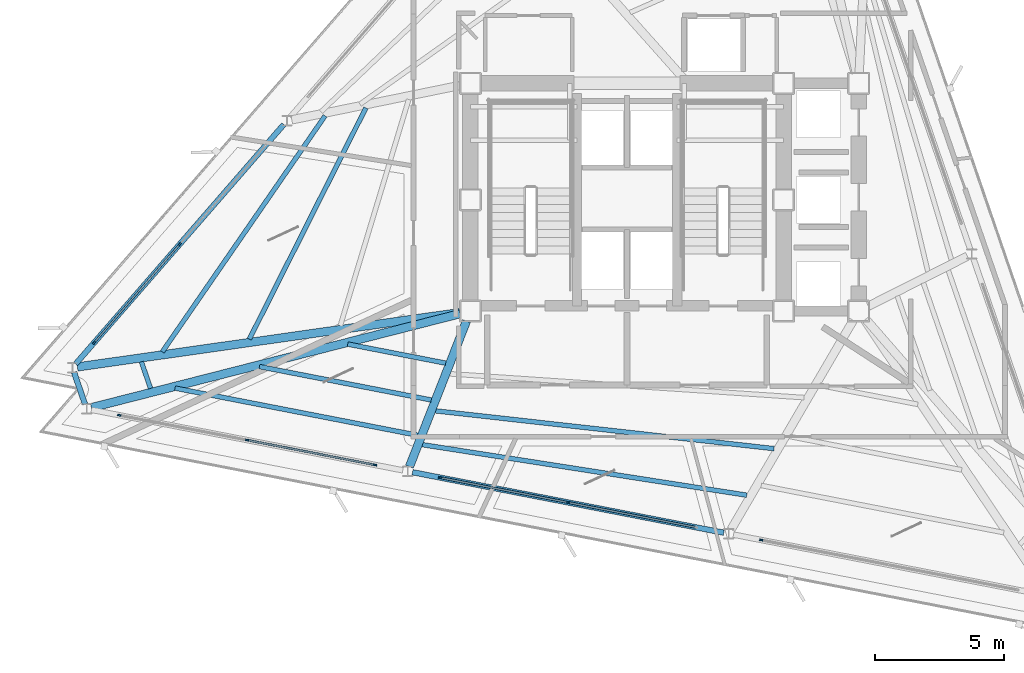
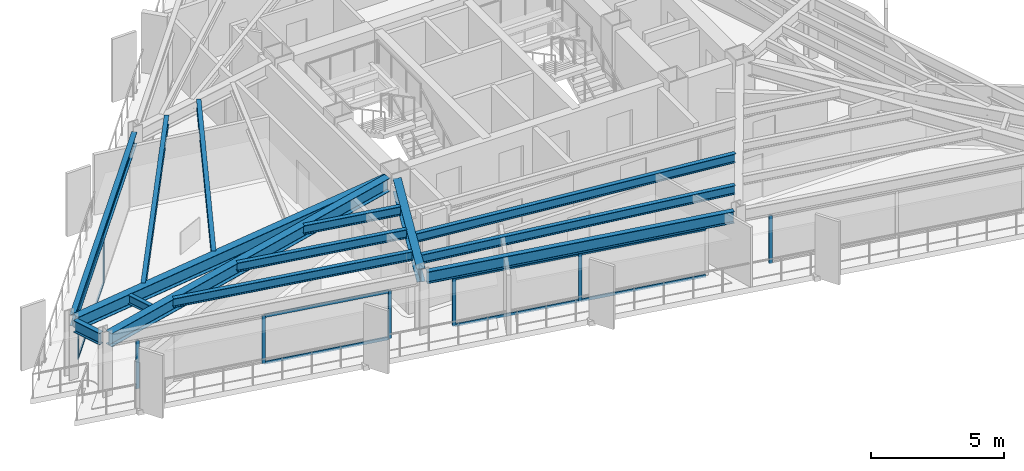
# One storey, part 2 of 13: 16 members, 14 beams, 4 elements without a shape of their own.
"""IFC4 building model written with IfcOpenShell, lengths in metres."""

from ifc_helpers import new_model, si_unit, direction, frame, origin, origin_2d, place, context, subcontext, project, spatial, rectangle, i_section, extrude, material, layer, layer_set, material_profile, profile_set, type_object, element, aggregate, save


model = new_model("IFC4")

# Units and contexts
model_context = context("Model", 3, precision=1e-05, world=origin(), true_north=direction((0.0, 1.0)))
body_context = subcontext(model_context, "Body", "Model", "MODEL_VIEW")
ifc_project = project(units=[si_unit("LENGTHUNIT", "METRE"), si_unit("AREAUNIT", "SQUARE_METRE"), si_unit("VOLUMEUNIT", "CUBIC_METRE"), si_unit("PLANEANGLEUNIT", "RADIAN"), si_unit("MASSUNIT", "GRAM", prefix="KILO")], contexts=[model_context])

# Site, building, storey
site_placement = place(None, origin())
site = spatial("IfcSite", under=ifc_project, at=site_placement, CompositionType="ELEMENT")
building_placement = place(site_placement, origin())
building = spatial("IfcBuilding", under=site, at=building_placement, Name="Rocaltana Carrier Exchange", CompositionType="ELEMENT")
storey_placement = place(building_placement, frame((0.0, 0.0, 156.320068359375)))
storey = spatial("IfcBuildingStorey", under=building, at=storey_placement, Name="L49", CompositionType="ELEMENT", Elevation=156.320068359375)

# Curtain wall, members
ifc_material_1 = material(Name="Aluminium 6063-T6", Category="aluminium")
ifc_layer = layer(ifc_material_1, 0.135009765625)
ifc_layer_set = layer_set([ifc_layer], Name="Aluminium 6063-T6")
curtain_wall_type = type_object("IfcCurtainWallType", Name="Upper-Mid Acoustic Curtain Wall CW-04", PredefinedType="NOTDEFINED", material=ifc_layer_set)
curtain_wall_1_placement = place(storey_placement, origin())
curtain_wall_1 = element("IfcCurtainWall", 1, at=curtain_wall_1_placement, inside=storey, type_object=curtain_wall_type, Name="L49 CW-04 Run CW-L49-F2S3", PredefinedType="NOTDEFINED")
ifc_material_2 = material(Name="Aluminium 6063-T6", Category="aluminium")
ifc_material_profile_1 = material_profile(ifc_material_2, rectangle(XDim=0.06494140625, YDim=0.135009765625, at=origin_2d()), Name="AL-65X135")
ifc_profile_set_1 = profile_set([ifc_material_profile_1], Name="Aluminium 6063-T6")
member_type_1 = type_object("IfcMemberType", Name="CW-04 Mullion AL-65X135", PredefinedType="MULLION", material=ifc_profile_set_1)
member_1_placement = place(storey_placement, frame((-17.279541015625, -1.718505859375, 0.0), z_axis=(0.0, 0.0, 1.0), x_axis=(0.75471173919, -0.656056545375, 0.0)))
member_1 = element("IfcMember", 2, at=member_1_placement, type_object=member_type_1, Name="CW-04 mullion 2", PredefinedType="MULLION", context=body_context, shape_type="SweptSolid", body=[
    extrude(rectangle(XDim=0.06494140625, YDim=0.135009765625, at=origin_2d()), origin(), (0.0, 0.0, 1.0), 2.218017578125),
])
member_2_placement = place(storey_placement, frame((-20.582275390625, -5.517822265625, 0.0), z_axis=(0.0, 0.0, 1.0), x_axis=(0.75471173919, -0.656056545375, 0.0)))
member_2 = element("IfcMember", 3, at=member_2_placement, type_object=member_type_1, Name="CW-04 mullion 3", PredefinedType="MULLION", context=body_context, shape_type="SweptSolid", body=[
    extrude(rectangle(XDim=0.06494140625, YDim=0.135009765625, at=origin_2d()), origin(), (0.0, 0.0, 1.0), 2.218017578125),
])

curtain_wall_2_placement = place(storey_placement, origin())
curtain_wall_2 = element("IfcCurtainWall", 4, at=curtain_wall_2_placement, inside=storey, type_object=curtain_wall_type, Name="L49 CW-04 Run CW-L49-F3S1", PredefinedType="NOTDEFINED")
member_3_placement = place(storey_placement, frame((-19.6162109375, -8.323486328125, 0.0), z_axis=(0.0, 0.0, 1.0), x_axis=(0.190803361378, 0.981628278569, 0.0)))
member_3 = element("IfcMember", 5, at=member_3_placement, type_object=member_type_1, Name="CW-04 mullion 1", PredefinedType="MULLION", context=body_context, shape_type="SweptSolid", body=[
    extrude(rectangle(XDim=0.06494140625, YDim=0.135009765625, at=origin_2d()), origin(), (0.0, 0.0, 1.0), 2.218017578125),
])
member_4_placement = place(storey_placement, frame((-14.674560546875, -9.2841796875, 0.0), z_axis=(0.0, 0.0, 1.0), x_axis=(0.190803361378, 0.981628278569, 0.0)))
member_4 = element("IfcMember", 6, at=member_4_placement, type_object=member_type_1, Name="CW-04 mullion 2", PredefinedType="MULLION", context=body_context, shape_type="SweptSolid", body=[
    extrude(rectangle(XDim=0.06494140625, YDim=0.135009765625, at=origin_2d()), origin(), (0.0, 0.0, 1.0), 2.218017578125),
])
member_5_placement = place(storey_placement, frame((-9.732666015625, -10.24462890625, 0.0), z_axis=(0.0, 0.0, 1.0), x_axis=(0.190803361378, 0.981628278569, 0.0)))
member_5 = element("IfcMember", 7, at=member_5_placement, type_object=member_type_1, Name="CW-04 mullion 3", PredefinedType="MULLION", context=body_context, shape_type="SweptSolid", body=[
    extrude(rectangle(XDim=0.06494140625, YDim=0.135009765625, at=origin_2d()), origin(), (0.0, 0.0, 1.0), 2.218017578125),
])

curtain_wall_3_placement = place(storey_placement, origin())
curtain_wall_3 = element("IfcCurtainWall", 8, at=curtain_wall_3_placement, inside=storey, type_object=curtain_wall_type, Name="L49 CW-04 Run CW-L49-F3S2", PredefinedType="NOTDEFINED")
member_6_placement = place(storey_placement, frame((-7.21484375, -10.734130859375, 0.0), z_axis=(0.0, 0.0, 1.0), x_axis=(0.190814718784, 0.981626070913, 0.0)))
member_6 = element("IfcMember", 9, at=member_6_placement, type_object=member_type_1, Name="CW-04 mullion 1", PredefinedType="MULLION", context=body_context, shape_type="SweptSolid", body=[
    extrude(rectangle(XDim=0.06494140625, YDim=0.135009765625, at=origin_2d()), origin(), (0.0, 0.0, 1.0), 2.218017578125),
])
member_7_placement = place(storey_placement, frame((-2.273193359375, -11.694580078125, 0.0), z_axis=(0.0, 0.0, 1.0), x_axis=(0.190814718784, 0.981626070913, 0.0)))
member_7 = element("IfcMember", 10, at=member_7_placement, type_object=member_type_1, Name="CW-04 mullion 2", PredefinedType="MULLION", context=body_context, shape_type="SweptSolid", body=[
    extrude(rectangle(XDim=0.06494140625, YDim=0.135009765625, at=origin_2d()), origin(), (0.0, 0.0, 1.0), 2.218017578125),
])

# Curtain wall, member
curtain_wall_4_placement = place(storey_placement, origin())
curtain_wall_4 = element("IfcCurtainWall", 11, at=curtain_wall_4_placement, inside=storey, type_object=curtain_wall_type, Name="L49 CW-04 Run CW-L49-F3S3", PredefinedType="NOTDEFINED")
member_8_placement = place(storey_placement, frame((5.186279296875, -13.144775390625, 0.0), z_axis=(0.0, 0.0, 1.0), x_axis=(0.190805209699, 0.981627919301, 0.0)))
member_8 = element("IfcMember", 12, at=member_8_placement, type_object=member_type_1, Name="CW-04 mullion 1", PredefinedType="MULLION", context=body_context, shape_type="SweptSolid", body=[
    extrude(rectangle(XDim=0.06494140625, YDim=0.135009765625, at=origin_2d()), origin(), (0.0, 0.0, 1.0), 2.218017578125),
])
aggregate(curtain_wall_4, [member_8])

# Member
ifc_material_3 = material(Name="Aluminium 6063-T6", Category="aluminium")
ifc_material_profile_2 = material_profile(ifc_material_3, rectangle(XDim=0.06494140625, YDim=0.135009765625, at=origin_2d()), Name="AL-65X135")
ifc_profile_set_2 = profile_set([ifc_material_profile_2], Name="Aluminium 6063-T6")
member_type_2 = type_object("IfcMemberType", Name="CW-04 Transom AL-65X135", PredefinedType="USERDEFINED", material=ifc_profile_set_2)
member_9_placement = place(storey_placement, frame((-17.30078125, -1.742919921875, 0.032470703125), z_axis=(-0.656055850486, -0.754712343243, 0.0), x_axis=(0.754712343243, -0.656055850486, 0.0)))
member_9 = element("IfcMember", 13, at=member_9_placement, type_object=member_type_2, Name="CW-04 transom 2.1", ObjectType="TRANSOM", PredefinedType="USERDEFINED", context=body_context, shape_type="SweptSolid", body=[
    extrude(rectangle(XDim=0.06494140625, YDim=0.135009765625, at=origin_2d()), origin(), (0.0, 0.0, 1.0), 4.968994140625),
])

member_10_placement = place(storey_placement, frame((-17.30078125, -1.742919921875, 2.185546875), z_axis=(-0.656055850486, -0.754712343243, 0.0), x_axis=(0.754712343243, -0.656055850486, 0.0)))
member_10 = element("IfcMember", 14, at=member_10_placement, type_object=member_type_2, Name="CW-04 transom 2.2", ObjectType="TRANSOM", PredefinedType="USERDEFINED", context=body_context, shape_type="SweptSolid", body=[
    extrude(rectangle(XDim=0.06494140625, YDim=0.135009765625, at=origin_2d()), origin(), (0.0, 0.0, 1.0), 4.968994140625),
])

aggregate(curtain_wall_1, [member_1, member_2, member_9, member_10])

member_11_placement = place(storey_placement, frame((-14.642578125, -9.290283203125, 0.032470703125), z_axis=(0.981624593621, -0.1908223184, 0.0), x_axis=(0.1908223184, 0.981624593621, 0.0)))
member_11 = element("IfcMember", 15, at=member_11_placement, type_object=member_type_2, Name="CW-04 transom 2.1", ObjectType="TRANSOM", PredefinedType="USERDEFINED", context=body_context, shape_type="SweptSolid", body=[
    extrude(rectangle(XDim=0.06494140625, YDim=0.135009765625, at=origin_2d()), origin(), (0.0, 0.0, 1.0), 4.96923828125),
])

member_12_placement = place(storey_placement, frame((-14.642578125, -9.290283203125, 2.185546875), z_axis=(0.981624593621, -0.1908223184, 0.0), x_axis=(0.1908223184, 0.981624593621, 0.0)))
member_12 = element("IfcMember", 16, at=member_12_placement, type_object=member_type_2, Name="CW-04 transom 2.2", ObjectType="TRANSOM", PredefinedType="USERDEFINED", context=body_context, shape_type="SweptSolid", body=[
    extrude(rectangle(XDim=0.06494140625, YDim=0.135009765625, at=origin_2d()), origin(), (0.0, 0.0, 1.0), 4.96923828125),
])

aggregate(curtain_wall_2, [member_3, member_4, member_5, member_11, member_12])

member_13_placement = place(storey_placement, frame((-7.18310546875, -10.740234375, 0.032470703125), z_axis=(0.981624593621, -0.1908223184, 0.0), x_axis=(0.1908223184, 0.981624593621, 0.0)))
member_13 = element("IfcMember", 17, at=member_13_placement, type_object=member_type_2, Name="CW-04 transom 1.1", ObjectType="TRANSOM", PredefinedType="USERDEFINED", context=body_context, shape_type="SweptSolid", body=[
    extrude(rectangle(XDim=0.06494140625, YDim=0.135009765625, at=origin_2d()), origin(), (0.0, 0.0, 1.0), 4.96923828125),
])

member_14_placement = place(storey_placement, frame((-7.18310546875, -10.740234375, 2.185546875), z_axis=(0.981624593621, -0.1908223184, 0.0), x_axis=(0.1908223184, 0.981624593621, 0.0)))
member_14 = element("IfcMember", 18, at=member_14_placement, type_object=member_type_2, Name="CW-04 transom 1.2", ObjectType="TRANSOM", PredefinedType="USERDEFINED", context=body_context, shape_type="SweptSolid", body=[
    extrude(rectangle(XDim=0.06494140625, YDim=0.135009765625, at=origin_2d()), origin(), (0.0, 0.0, 1.0), 4.96923828125),
])

member_15_placement = place(storey_placement, frame((-2.2412109375, -11.700927734375, 0.032470703125), z_axis=(0.9816228045, -0.190831521732, 0.0), x_axis=(0.190831521732, 0.9816228045, 0.0)))
member_15 = element("IfcMember", 19, at=member_15_placement, type_object=member_type_2, Name="CW-04 transom 2.1", ObjectType="TRANSOM", PredefinedType="USERDEFINED", context=body_context, shape_type="SweptSolid", body=[
    extrude(rectangle(XDim=0.06494140625, YDim=0.135009765625, at=origin_2d()), origin(), (0.0, 0.0, 1.0), 4.968994140625),
])

member_16_placement = place(storey_placement, frame((-2.2412109375, -11.700927734375, 2.185546875), z_axis=(0.9816228045, -0.190831521732, 0.0), x_axis=(0.190831521732, 0.9816228045, 0.0)))
member_16 = element("IfcMember", 20, at=member_16_placement, type_object=member_type_2, Name="CW-04 transom 2.2", ObjectType="TRANSOM", PredefinedType="USERDEFINED", context=body_context, shape_type="SweptSolid", body=[
    extrude(rectangle(XDim=0.06494140625, YDim=0.135009765625, at=origin_2d()), origin(), (0.0, 0.0, 1.0), 4.968994140625),
])

aggregate(curtain_wall_3, [member_6, member_7, member_13, member_14, member_15, member_16])

# Beams
ifc_material_4 = material(Name="Steel S355", Category="steel")
ifc_material_profile_3 = material_profile(ifc_material_4, i_section(OverallWidth=0.179931640625, OverallDepth=0.4130859375, WebThickness=0.009765625, FlangeThickness=0.01611328125, FilletRadius=0.012939453125, at=origin_2d()), Name="W16X50")
ifc_profile_set_3 = profile_set([ifc_material_profile_3], Name="Steel S355")
beam_type_1 = type_object("IfcBeamType", Name="Floor Joist W16X50", PredefinedType="JOIST", material=ifc_profile_set_3)
beam_1_placement = place(storey_placement, frame((-10.087890625, 3.548095703125, 2.58154296875), z_axis=(-0.449993841854, -0.893031658058, 0.0), x_axis=(0.893031658058, -0.449993841854, 0.0)))
element("IfcBeam", 21, at=beam_1_placement, inside=storey, type_object=beam_type_1, Name="FJ-L49-07-2", PredefinedType="JOIST", context=body_context, shape_type="SweptSolid", body=[
    extrude(i_section(OverallWidth=0.179931640625, OverallDepth=0.4130859375, WebThickness=0.009765625, FlangeThickness=0.01611328125, FilletRadius=0.012939453125, at=origin_2d()), origin(), (0.0, 0.0, 1.0), 10.0029296875),
])
beam_2_placement = place(storey_placement, frame((-11.665283203125, 3.239501953125, 2.58154296875), z_axis=(-0.567777260515, -0.823182229183, 0.0), x_axis=(0.823182229183, -0.567777260515, 0.0)))
element("IfcBeam", 22, at=beam_2_placement, inside=storey, type_object=beam_type_1, Name="FJ-L49-07-3", PredefinedType="JOIST", context=body_context, shape_type="SweptSolid", body=[
    extrude(i_section(OverallWidth=0.179931640625, OverallDepth=0.4130859375, WebThickness=0.009765625, FlangeThickness=0.01611328125, FilletRadius=0.012939453125, at=origin_2d()), origin(), (0.0, 0.0, 1.0), 11.073974609375),
])
beam_3_placement = place(storey_placement, frame((-18.75927734375, -6.26171875, 2.58154296875), z_axis=(0.32558209601, -0.945513775023, 0.0), x_axis=(0.945513775023, 0.32558209601, 0.0)))
element("IfcBeam", 23, at=beam_3_placement, inside=storey, type_object=beam_type_1, Name="FJ-L49-08-3", PredefinedType="JOIST", context=body_context, shape_type="SweptSolid", body=[
    extrude(i_section(OverallWidth=0.179931640625, OverallDepth=0.4130859375, WebThickness=0.009765625, FlangeThickness=0.01611328125, FilletRadius=0.012939453125, at=origin_2d()), origin(), (0.0, 0.0, 1.0), 1.08642578125),
])
beam_4_placement = place(storey_placement, frame((-10.7890625, -5.576904296875, 2.58154296875), z_axis=(0.981632516302, -0.190781558172, 0.0), x_axis=(0.190781558172, 0.981632516302, 0.0)))
element("IfcBeam", 24, at=beam_4_placement, inside=storey, type_object=beam_type_1, Name="FJ-L49-09-1", PredefinedType="JOIST", context=body_context, shape_type="SweptSolid", body=[
    extrude(i_section(OverallWidth=0.179931640625, OverallDepth=0.4130859375, WebThickness=0.009765625, FlangeThickness=0.01611328125, FilletRadius=0.012939453125, at=origin_2d()), origin(), (0.0, 0.0, 1.0), 3.85693359375),
])
beam_5_placement = place(storey_placement, frame((-14.198974609375, -6.44580078125, 2.58154296875), z_axis=(0.981623092211, -0.190830041758, 0.0), x_axis=(0.190830041758, 0.981623092211, 0.0)))
element("IfcBeam", 25, at=beam_5_placement, inside=storey, type_object=beam_type_1, Name="FJ-L49-09-2", PredefinedType="JOIST", context=body_context, shape_type="SweptSolid", body=[
    extrude(i_section(OverallWidth=0.179931640625, OverallDepth=0.4130859375, WebThickness=0.009765625, FlangeThickness=0.01611328125, FilletRadius=0.012939453125, at=origin_2d()), origin(), (0.0, 0.0, 1.0), 6.7626953125),
])
beam_6_placement = place(storey_placement, frame((-17.46044921875, -7.27734375, 2.58154296875), z_axis=(0.981630034489, -0.190794327456, 0.0), x_axis=(0.190794327456, 0.981630034489, 0.0)))
element("IfcBeam", 26, at=beam_6_placement, inside=storey, type_object=beam_type_1, Name="FJ-L49-09-3", PredefinedType="JOIST", context=body_context, shape_type="SweptSolid", body=[
    extrude(i_section(OverallWidth=0.179931640625, OverallDepth=0.4130859375, WebThickness=0.009765625, FlangeThickness=0.01611328125, FilletRadius=0.012939453125, at=origin_2d()), origin(), (0.0, 0.0, 1.0), 9.5419921875),
])
beam_7_placement = place(storey_placement, frame((-7.397705078125, -8.15478515625, 2.58154296875), z_axis=(0.993827043541, -0.110940558529, 0.0), x_axis=(0.110940558529, 0.993827043541, 0.0)))
element("IfcBeam", 27, at=beam_7_placement, inside=storey, type_object=beam_type_1, Name="FJ-L49-10-2", PredefinedType="JOIST", context=body_context, shape_type="SweptSolid", body=[
    extrude(i_section(OverallWidth=0.179931640625, OverallDepth=0.4130859375, WebThickness=0.009765625, FlangeThickness=0.01611328125, FilletRadius=0.012939453125, at=origin_2d()), origin(), (0.0, 0.0, 1.0), 13.159912109375),
])
beam_8_placement = place(storey_placement, frame((-7.90771484375, -9.461181640625, 2.58154296875), z_axis=(0.988080457821, -0.153938328148, 0.0), x_axis=(0.153938328148, 0.988080457821, 0.0)))
element("IfcBeam", 28, at=beam_8_placement, inside=storey, type_object=beam_type_1, Name="FJ-L49-10-3", PredefinedType="JOIST", context=body_context, shape_type="SweptSolid", body=[
    extrude(i_section(OverallWidth=0.179931640625, OverallDepth=0.4130859375, WebThickness=0.009765625, FlangeThickness=0.01611328125, FilletRadius=0.012939453125, at=origin_2d()), origin(), (0.0, 0.0, 1.0), 12.68603515625),
])
ifc_material_5 = material(Name="Steel S355", Category="steel")
ifc_material_profile_4 = material_profile(ifc_material_5, i_section(OverallWidth=0.323974609375, OverallDepth=0.611083984375, WebThickness=0.0126953125, FlangeThickness=0.01904296875, FilletRadius=0.01611328125, at=origin_2d()), Name="W24X104")
ifc_profile_set_4 = profile_set([ifc_material_profile_4], Name="Steel S355")
beam_type_2 = type_object("IfcBeamType", Name="Radial Girder W24X104", PredefinedType="BEAM", material=ifc_profile_set_4)
beam_9_placement = place(storey_placement, frame((-6.462890625, -4.358642578125, 2.482421875), z_axis=(-0.990043529364, -0.14076153581, 0.0), x_axis=(0.14076153581, -0.990043529364, 0.0)))
element("IfcBeam", 29, at=beam_9_placement, inside=storey, type_object=beam_type_2, Name="RG-L49-08", PredefinedType="BEAM", context=body_context, shape_type="SweptSolid", body=[
    extrude(i_section(OverallWidth=0.323974609375, OverallDepth=0.611083984375, WebThickness=0.0126953125, FlangeThickness=0.01904296875, FilletRadius=0.01611328125, at=origin_2d()), origin(), (0.0, 0.0, 1.0), 14.91943359375),
])
beam_10_placement = place(storey_placement, frame((-6.4541015625, -4.403076171875, 2.482421875), z_axis=(-0.969017811035, -0.246990853873, 0.0), x_axis=(0.246990853873, -0.969017811035, 0.0)))
element("IfcBeam", 30, at=beam_10_placement, inside=storey, type_object=beam_type_2, Name="RG-L49-09", PredefinedType="BEAM", context=body_context, shape_type="SweptSolid", body=[
    extrude(i_section(OverallWidth=0.323974609375, OverallDepth=0.611083984375, WebThickness=0.0126953125, FlangeThickness=0.01904296875, FilletRadius=0.01611328125, at=origin_2d()), origin(), (0.0, 0.0, 1.0), 14.6904296875),
])
beam_11_placement = place(storey_placement, frame((-6.2021484375, -4.688232421875, 2.482421875), z_axis=(-0.364640194484, -0.931148499739, 0.0), x_axis=(0.931148499739, -0.364640194484, 0.0)))
element("IfcBeam", 31, at=beam_11_placement, inside=storey, type_object=beam_type_2, Name="RG-L49-10", PredefinedType="BEAM", context=body_context, shape_type="SweptSolid", body=[
    extrude(i_section(OverallWidth=0.323974609375, OverallDepth=0.611083984375, WebThickness=0.0126953125, FlangeThickness=0.01904296875, FilletRadius=0.01611328125, at=origin_2d()), origin(), (0.0, 0.0, 1.0), 6.03857421875),
])
ifc_material_6 = material(Name="Steel S355", Category="steel")
ifc_material_profile_5 = material_profile(ifc_material_6, i_section(OverallWidth=0.2119140625, OverallDepth=0.5439453125, WebThickness=0.01318359375, FlangeThickness=0.021240234375, FilletRadius=0.014892578125, at=origin_2d()), Name="W21X83")
ifc_profile_set_5 = profile_set([ifc_material_profile_5], Name="Steel S355")
beam_type_3 = type_object("IfcBeamType", Name="Spandrel Edge Beam W21X83", PredefinedType="SPANDREL", material=ifc_profile_set_5)
beam_12_placement = place(storey_placement, frame((-13.260986328125, 2.904296875, 2.515869140625), z_axis=(-0.65606029169, -0.754708482573, 0.0), x_axis=(0.754708482573, -0.65606029169, 0.0)))
element("IfcBeam", 32, at=beam_12_placement, inside=storey, type_object=beam_type_3, Name="SP-L49-07", PredefinedType="SPANDREL", context=body_context, shape_type="SweptSolid", body=[
    extrude(i_section(OverallWidth=0.2119140625, OverallDepth=0.5439453125, WebThickness=0.01318359375, FlangeThickness=0.021240234375, FilletRadius=0.014892578125, at=origin_2d()), origin(), (0.0, 0.0, 1.0), 12.25048828125),
])
beam_13_placement = place(storey_placement, frame((-21.361328125, -6.666748046875, 2.515869140625), z_axis=(0.325551418294, -0.945524338157, 0.0), x_axis=(0.945524338157, 0.325551418294, 0.0)))
element("IfcBeam", 33, at=beam_13_placement, inside=storey, type_object=beam_type_3, Name="SP-L49-08", PredefinedType="SPANDREL", context=body_context, shape_type="SweptSolid", body=[
    extrude(i_section(OverallWidth=0.2119140625, OverallDepth=0.5439453125, WebThickness=0.01318359375, FlangeThickness=0.021240234375, FilletRadius=0.014892578125, at=origin_2d()), origin(), (0.0, 0.0, 1.0), 1.3017578125),
])
beam_14_placement = place(storey_placement, frame((-8.285888671875, -10.52587890625, 2.515869140625), z_axis=(0.981624930675, -0.190820584522, 0.0), x_axis=(0.190820584522, 0.981624930675, 0.0)))
element("IfcBeam", 34, at=beam_14_placement, inside=storey, type_object=beam_type_3, Name="SP-L49-10", PredefinedType="SPANDREL", context=body_context, shape_type="SweptSolid", body=[
    extrude(i_section(OverallWidth=0.2119140625, OverallDepth=0.5439453125, WebThickness=0.01318359375, FlangeThickness=0.021240234375, FilletRadius=0.014892578125, at=origin_2d()), origin(), (0.0, 0.0, 1.0), 12.25048828125),
])

save(model, "model.ifc")
